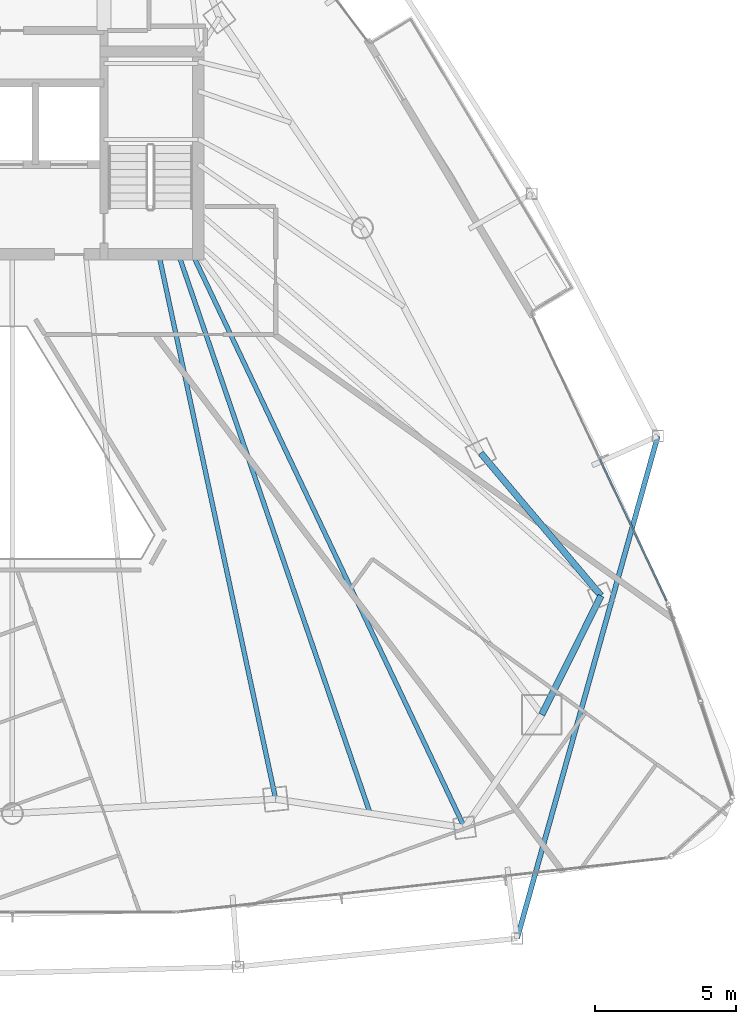
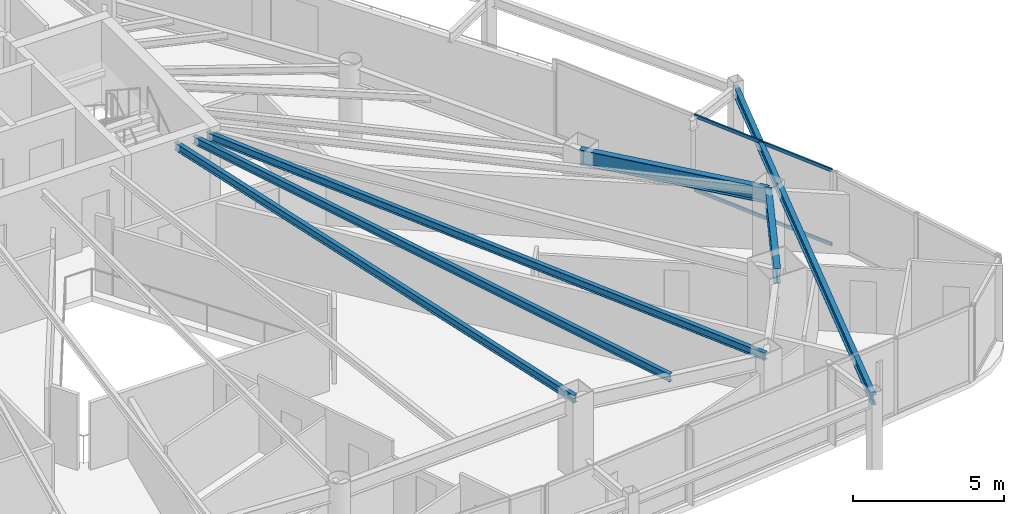
# One storey, part 13 of 30: 6 beams, 2 members, 1 element without a shape of its own.
"""IFC4 building model written with IfcOpenShell, lengths in metres."""

from ifc_helpers import new_model, si_unit, direction, frame, origin, origin_2d, place, context, subcontext, project, spatial, hollow_rectangle, i_section, extrude, material, layer, layer_set, material_profile, profile_set, type_object, element, aggregate, save


model = new_model("IFC4")

# Units and contexts
model_context = context("Model", 3, precision=1e-05, world=origin(), true_north=direction((0.0, 1.0)))
body_context = subcontext(model_context, "Body", "Model", "MODEL_VIEW")
ifc_project = project(units=[si_unit("LENGTHUNIT", "METRE"), si_unit("AREAUNIT", "SQUARE_METRE"), si_unit("VOLUMEUNIT", "CUBIC_METRE"), si_unit("PLANEANGLEUNIT", "RADIAN"), si_unit("MASSUNIT", "GRAM", prefix="KILO")], contexts=[model_context])

# Site, building, storey
site_placement = place(None, origin())
site = spatial("IfcSite", under=ifc_project, at=site_placement, CompositionType="ELEMENT")
building_placement = place(site_placement, origin())
building = spatial("IfcBuilding", under=site, at=building_placement, Name="Orvanel Arch Residences", CompositionType="ELEMENT")
storey_placement = place(building_placement, frame((0.0, 0.0, 139.699951171875)))
storey = spatial("IfcBuildingStorey", under=building, at=storey_placement, Name="L39", CompositionType="ELEMENT", Elevation=139.699951171875)

# Beams
ifc_material_1 = material(Name="Structural steel AS/NZS 3679.1 Grade 300 (300 MPa)", Category="steel")
ifc_material_profile_1 = material_profile(ifc_material_1, i_section(OverallWidth=0.1650390625, OverallDepth=0.303955078125, WebThickness=0.006103515625, FlangeThickness=0.01025390625, at=origin_2d()), Name="310UB40.4")
ifc_profile_set_1 = profile_set([ifc_material_profile_1], Name="Structural steel AS/NZS 3679.1 Grade 300 (300 MPa)")
beam_type_1 = type_object("IfcBeamType", Name="BJ-310UB", PredefinedType="JOIST", material=ifc_profile_set_1)
beam_1_placement = place(storey_placement, frame((38.199951171875, 26.699951171875, 2.907958984375), z_axis=(0.209808012425, -0.977742603103, 0.0), x_axis=(0.977742603103, 0.209808012425, 0.0)))
element("IfcBeam", 1, at=beam_1_placement, inside=storey, type_object=beam_type_1, Name="L39 SE Wing Floor Joist", PredefinedType="JOIST", context=body_context, shape_type="SweptSolid", body=[
    extrude(i_section(OverallWidth=0.1650390625, OverallDepth=0.303955078125, WebThickness=0.006103515625, FlangeThickness=0.01025390625, at=origin_2d()), origin(), (0.0, 0.0, 1.0), 19.785400390625),
])
beam_2_placement = place(storey_placement, frame((39.39990234375, 26.699951171875, 2.907958984375), z_axis=(0.428614365266, -0.903487534993, 0.0), x_axis=(0.903487534993, 0.428614365266, 0.0)))
element("IfcBeam", 2, at=beam_2_placement, inside=storey, type_object=beam_type_1, Name="L39 MSE Wing Floor Joist", PredefinedType="JOIST", context=body_context, shape_type="SweptSolid", body=[
    extrude(i_section(OverallWidth=0.1650390625, OverallDepth=0.303955078125, WebThickness=0.006103515625, FlangeThickness=0.01025390625, at=origin_2d()), origin(), (0.0, 0.0, 1.0), 22.535888671875),
])
beam_3_placement = place(storey_placement, frame((38.89990234375, 26.699951171875, 2.907958984375), z_axis=(0.324257108963, -0.945968988544, 0.0), x_axis=(0.945968988544, 0.324257108963, 0.0)))
element("IfcBeam", 3, at=beam_3_placement, inside=storey, type_object=beam_type_1, Name="L39 JADD2 Wing Floor Joist", PredefinedType="JOIST", context=body_context, shape_type="SweptSolid", body=[
    extrude(i_section(OverallWidth=0.1650390625, OverallDepth=0.303955078125, WebThickness=0.006103515625, FlangeThickness=0.01025390625, at=origin_2d()), origin(), (0.0, 0.0, 1.0), 20.987060546875),
])
ifc_material_profile_2 = material_profile(ifc_material_1, i_section(OverallWidth=0.177978515625, OverallDepth=0.406005859375, WebThickness=0.0078125, FlangeThickness=0.0126953125, at=origin_2d()), Name="410UB59.7")
ifc_profile_set_2 = profile_set([ifc_material_profile_2], Name="Structural steel AS/NZS 3679.1 Grade 300 (300 MPa)")
beam_type_2 = type_object("IfcBeamType", Name="OB-410UB-EXT", PredefinedType="SPANDREL", material=ifc_profile_set_2)
beam_4_placement = place(storey_placement, frame((50.925048828125, 2.408935546875, 2.85693359375), z_axis=(0.269674896911, 0.962951426592, 0.0), x_axis=(-0.962951426592, 0.269674896911, 0.0)))
element("IfcBeam", 4, at=beam_4_placement, inside=storey, type_object=beam_type_2, Name="L39 Outer Perimeter Floor Ring Beam 08", PredefinedType="SPANDREL", context=body_context, shape_type="SweptSolid", body=[
    extrude(i_section(OverallWidth=0.177978515625, OverallDepth=0.406005859375, WebThickness=0.0078125, FlangeThickness=0.0126953125, at=origin_2d()), origin(), (0.0, 0.0, 1.0), 18.525390625),
])
ifc_material_profile_3 = material_profile(ifc_material_1, i_section(OverallWidth=0.22900390625, OverallDepth=0.612060546875, WebThickness=0.011962890625, FlangeThickness=0.01953125, at=origin_2d()), Name="610UB125")
ifc_profile_set_3 = profile_set([ifc_material_profile_3], Name="Structural steel AS/NZS 3679.1 Grade 300 (300 MPa)")
beam_type_3 = type_object("IfcBeamType", Name="SP-610UB", PredefinedType="SPANDREL", material=ifc_profile_set_3)
beam_5_placement = place(storey_placement, frame((51.801025390625, 10.35107421875, 2.754150390625), z_axis=(0.44543469453, 0.895314432425, 0.0), x_axis=(-0.895314432425, 0.44543469453, 0.0)))
element("IfcBeam", 5, at=beam_5_placement, inside=storey, type_object=beam_type_3, Name="L39 Perimeter Spandrel Beam 09", PredefinedType="SPANDREL", context=body_context, shape_type="SweptSolid", body=[
    extrude(i_section(OverallWidth=0.22900390625, OverallDepth=0.612060546875, WebThickness=0.011962890625, FlangeThickness=0.01953125, at=origin_2d()), origin(), (0.0, 0.0, 1.0), 4.723388671875),
])
beam_6_placement = place(storey_placement, frame((53.905029296875, 14.580078125, 2.754150390625), z_axis=(-0.644950329775, 0.764224490659, 0.0), x_axis=(-0.764224490659, -0.644950329775, 0.0)))
element("IfcBeam", 6, at=beam_6_placement, inside=storey, type_object=beam_type_3, Name="L39 Perimeter Spandrel Beam 10", PredefinedType="SPANDREL", context=body_context, shape_type="SweptSolid", body=[
    extrude(i_section(OverallWidth=0.22900390625, OverallDepth=0.612060546875, WebThickness=0.011962890625, FlangeThickness=0.01953125, at=origin_2d()), origin(), (0.0, 0.0, 1.0), 6.623779296875),
])

# Curtain wall, members
ifc_material_2 = material(Name="Bronze-anodised aluminium AA6063-T6", Category="aluminium")
ifc_layer = layer(ifc_material_2, 0.179931640625)
ifc_layer_set = layer_set([ifc_layer], Name="Bronze-anodised aluminium AA6063-T6")
curtain_wall_type = type_object("IfcCurtainWallType", Name="CW3-MID-SYS", PredefinedType="NOTDEFINED", material=ifc_layer_set)
curtain_wall_placement = place(storey_placement, origin())
curtain_wall = element("IfcCurtainWall", 7, at=curtain_wall_placement, inside=storey, type_object=curtain_wall_type, Name="L39 CW3-MID-SYS Unitised Curtain Wall", PredefinedType="NOTDEFINED")
ifc_material_profile_4 = material_profile(ifc_material_2, hollow_rectangle(XDim=0.06005859375, YDim=0.135009765625, WallThickness=0.00390625, at=origin_2d()), Name="ALU135x60x4")
ifc_profile_set_4 = profile_set([ifc_material_profile_4], Name="Bronze-anodised aluminium AA6063-T6")
member_type = type_object("IfcMemberType", Name="TRN-135x60", PredefinedType="USERDEFINED", material=ifc_profile_set_4)
member_1_placement = place(storey_placement, frame((56.230224609375, 14.40625, 0.030029296875), z_axis=(-0.426009230094, 0.904718815917, 0.0), x_axis=(-0.904718815917, -0.426009230094, 0.0)))
member_1 = element("IfcMember", 8, at=member_1_placement, type_object=member_type, Name="CW-S3 transom 1.1", ObjectType="TRANSOM", PredefinedType="USERDEFINED", context=body_context, shape_type="SweptSolid", body=[
    extrude(hollow_rectangle(XDim=0.06005859375, YDim=0.135009765625, WallThickness=0.00390625, at=origin_2d()), origin(), (0.0, 0.0, 1.0), 5.54052734375),
])
member_2_placement = place(storey_placement, frame((56.230224609375, 14.40625, 3.030029296875), z_axis=(-0.426009230094, 0.904718815917, 0.0), x_axis=(-0.904718815917, -0.426009230094, 0.0)))
member_2 = element("IfcMember", 9, at=member_2_placement, type_object=member_type, Name="CW-S3 transom 1.2", ObjectType="TRANSOM", PredefinedType="USERDEFINED", context=body_context, shape_type="SweptSolid", body=[
    extrude(hollow_rectangle(XDim=0.06005859375, YDim=0.135009765625, WallThickness=0.00390625, at=origin_2d()), origin(), (0.0, 0.0, 1.0), 5.54052734375),
])
aggregate(curtain_wall, [member_1, member_2])

save(model, "model.ifc")
